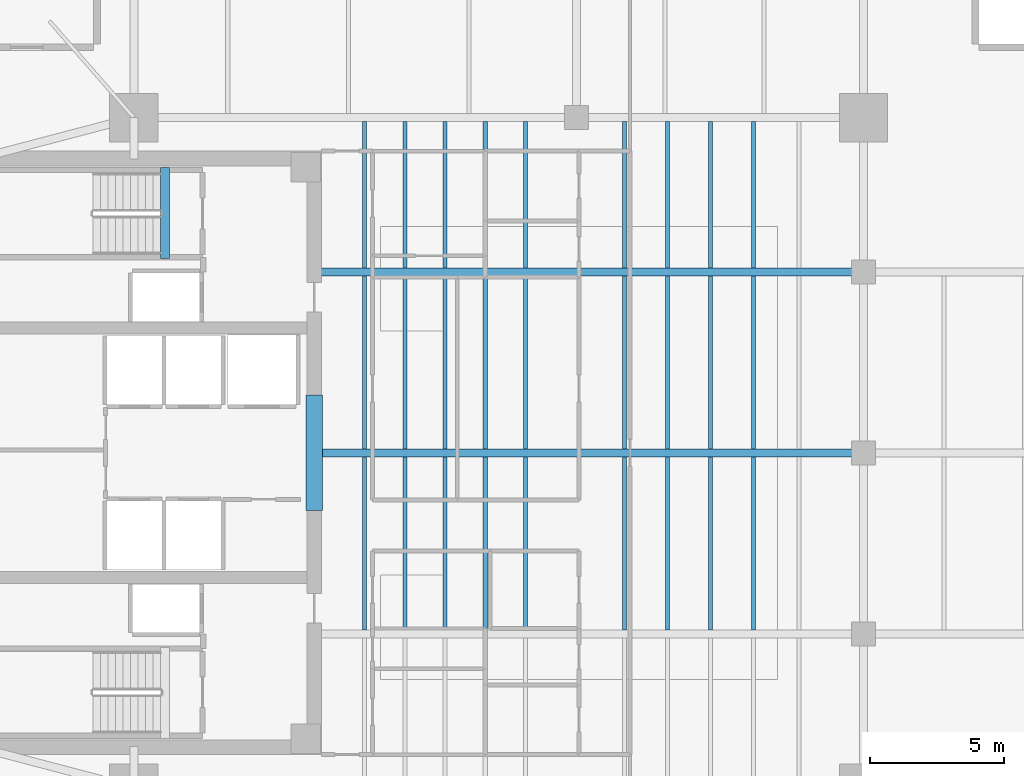
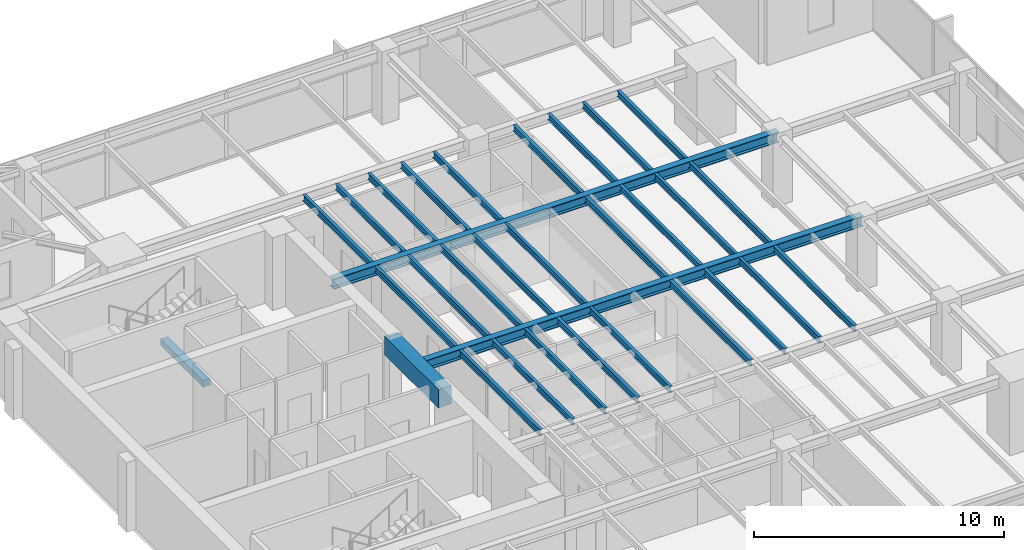
# One storey, part 3 of 14: 31 beams.
"""IFC4 building model written with IfcOpenShell, lengths in metres."""

from ifc_helpers import new_model, si_unit, direction, frame, origin, origin_2d, place, context, subcontext, project, spatial, rectangle, i_section, extrude, material, material_profile, profile_set, type_object, element, save


model = new_model("IFC4")

# Units and contexts
model_context = context("Model", 3, precision=1e-05, world=origin(), true_north=direction((0.0, 1.0)))
body_context = subcontext(model_context, "Body", "Model", "MODEL_VIEW")
ifc_project = project(units=[si_unit("LENGTHUNIT", "METRE"), si_unit("AREAUNIT", "SQUARE_METRE"), si_unit("VOLUMEUNIT", "CUBIC_METRE"), si_unit("PLANEANGLEUNIT", "RADIAN"), si_unit("MASSUNIT", "GRAM", prefix="KILO")], contexts=[model_context])

# Site, building, storey
site_placement = place(None, origin())
site = spatial("IfcSite", under=ifc_project, at=site_placement, CompositionType="ELEMENT")
building_placement = place(site_placement, origin())
building = spatial("IfcBuilding", under=site, at=building_placement, Name="Kinhvarn Gate Tower", CompositionType="ELEMENT")
storey_placement = place(building_placement, frame((0.0, 0.0, 198.699951171875)))
storey = spatial("IfcBuildingStorey", under=building, at=storey_placement, Name="L52", CompositionType="ELEMENT", Elevation=198.699951171875)

# Beams
ifc_material_1 = material(Name="Concrete C60/75", Category="concrete")
ifc_material_profile_1 = material_profile(ifc_material_1, rectangle(XDim=0.60009765625, YDim=0.89990234375, at=origin_2d()), Name="RC 600x900")
ifc_profile_set_1 = profile_set([ifc_material_profile_1], Name="Concrete C60/75")
beam_type_1 = type_object("IfcBeamType", Name="BM-CB-900", PredefinedType="LINTEL", material=ifc_profile_set_1)
beam_1_placement = place(storey_placement, frame((17.72509765625, 23.10009765625, 2.920166015625), z_axis=(0.0, 1.0, 0.0), x_axis=(-1.0, 0.0, 0.0)))
element("IfcBeam", 1, at=beam_1_placement, inside=storey, type_object=beam_type_1, Name="Core East Portal Coupling Beam L52", PredefinedType="LINTEL", context=body_context, shape_type="SweptSolid", body=[
    extrude(rectangle(XDim=0.60009765625, YDim=0.89990234375, at=origin_2d()), origin(), (0.0, 0.0, 1.0), 4.2998046875),
])
ifc_material_2 = material(Name="Concrete C50/60", Category="concrete")
ifc_material_profile_2 = material_profile(ifc_material_2, rectangle(XDim=0.340087890625, YDim=0.320068359375, at=origin_2d()), Name="RC 340x320")
ifc_profile_set_2 = profile_set([ifc_material_profile_2], Name="Concrete C50/60")
beam_type_2 = type_object("IfcBeamType", Name="BM-LND-500", PredefinedType="BEAM", material=ifc_profile_set_2)
beam_2_placement = place(storey_placement, frame((12.1650390625, 32.5, -0.159912109375), z_axis=(0.0, 1.0, 0.0), x_axis=(-1.0, 0.0, 0.0)))
element("IfcBeam", 2, at=beam_2_placement, inside=storey, type_object=beam_type_2, Name="Stair ST2 Landing Nosing Beam (L52)", PredefinedType="BEAM", context=body_context, shape_type="SweptSolid", body=[
    extrude(rectangle(XDim=0.340087890625, YDim=0.320068359375, at=origin_2d()), origin(), (0.0, 0.0, 1.0), 3.39990234375),
])
ifc_material_3 = material(Name="Steel S355", Category="steel")
ifc_material_profile_3 = material_profile(ifc_material_3, i_section(OverallWidth=0.300048828125, OverallDepth=0.5, WebThickness=0.014404296875, FlangeThickness=0.028076171875, at=origin_2d()), Name="HEB 500")
ifc_profile_set_3 = profile_set([ifc_material_profile_3], Name="Steel S355")
beam_type_3 = type_object("IfcBeamType", Name="STL-HEB500", PredefinedType="BEAM", material=ifc_profile_set_3)
beam_3_placement = place(storey_placement, frame((18.02490234375, 25.25, 3.1201171875), z_axis=(1.0, 0.0, 0.0), x_axis=(0.0, 1.0, 0.0)))
element("IfcBeam", 3, at=beam_3_placement, inside=storey, type_object=beam_type_3, Name="Floor Beam PG-14 (L52 EW1-Y25)", PredefinedType="BEAM", context=body_context, shape_type="SweptSolid", body=[
    extrude(i_section(OverallWidth=0.300048828125, OverallDepth=0.5, WebThickness=0.014404296875, FlangeThickness=0.028076171875, at=origin_2d()), origin(), (0.0, 0.0, 1.0), 20.175048828125),
])
beam_4_placement = place(storey_placement, frame((17.64990234375, 32.0, 3.1201171875), z_axis=(1.0, 0.0, 0.0), x_axis=(0.0, 1.0, 0.0)))
element("IfcBeam", 4, at=beam_4_placement, inside=storey, type_object=beam_type_3, Name="Floor Beam PG-14 (L52 EW1-Y32)", PredefinedType="BEAM", context=body_context, shape_type="SweptSolid", body=[
    extrude(i_section(OverallWidth=0.300048828125, OverallDepth=0.5, WebThickness=0.014404296875, FlangeThickness=0.028076171875, at=origin_2d()), origin(), (0.0, 0.0, 1.0), 20.550048828125),
])
ifc_material_profile_4 = material_profile(ifc_material_3, i_section(OverallWidth=0.14990234375, OverallDepth=0.300048828125, WebThickness=0.007080078125, FlangeThickness=0.0107421875, at=origin_2d()), Name="IPE 300")
ifc_profile_set_4 = profile_set([ifc_material_profile_4], Name="Steel S355")
beam_type_4 = type_object("IfcBeamType", Name="STL-IPE300", PredefinedType="JOIST", material=ifc_profile_set_4)
for number, where, z_axis, x_axis, name in (
    (5, (19.60009765625, 18.64990234375, 3.219970703125), (0.0, 1.0, 0.0), (-1.0, 0.0, 0.0), "Floor Joist SB-02 (L52 JC-X196-1)"),
    (6, (19.60009765625, 25.39990234375, 3.219970703125), (0.0, 1.0, 0.0), (-1.0, 0.0, 0.0), "Floor Joist SB-02 (L52 JC-X196-2)"),
):
    element("IfcBeam", number, at=place(storey_placement, frame(where, z_axis=z_axis, x_axis=x_axis)), inside=storey, type_object=beam_type_4, Name=name, PredefinedType="JOIST", context=body_context, shape_type="SweptSolid", body=[
        extrude(i_section(OverallWidth=0.14990234375, OverallDepth=0.300048828125, WebThickness=0.007080078125, FlangeThickness=0.0107421875, at=origin_2d()), origin(), (0.0, 0.0, 1.0), 6.4501953125),
    ])
beam_5_placement = place(storey_placement, frame((19.60009765625, 32.14990234375, 3.219970703125), z_axis=(0.0, 1.0, 0.0), x_axis=(-1.0, 0.0, 0.0)))
element("IfcBeam", 7, at=beam_5_placement, inside=storey, type_object=beam_type_4, Name="Floor Joist SB-02 (L52 JC-X196-3)", PredefinedType="JOIST", context=body_context, shape_type="SweptSolid", body=[
    extrude(i_section(OverallWidth=0.14990234375, OverallDepth=0.300048828125, WebThickness=0.007080078125, FlangeThickness=0.0107421875, at=origin_2d()), origin(), (0.0, 0.0, 1.0), 5.4501953125),
])
for number, where, z_axis, x_axis, name in (
    (8, (21.10009765625, 18.64990234375, 3.219970703125), (0.0, 1.0, 0.0), (-1.0, 0.0, 0.0), "Floor Joist SB-02 (L52 JC-X211-1)"),
    (9, (21.10009765625, 25.39990234375, 3.219970703125), (0.0, 1.0, 0.0), (-1.0, 0.0, 0.0), "Floor Joist SB-02 (L52 JC-X211-2)"),
):
    element("IfcBeam", number, at=place(storey_placement, frame(where, z_axis=z_axis, x_axis=x_axis)), inside=storey, type_object=beam_type_4, Name=name, PredefinedType="JOIST", context=body_context, shape_type="SweptSolid", body=[
        extrude(i_section(OverallWidth=0.14990234375, OverallDepth=0.300048828125, WebThickness=0.007080078125, FlangeThickness=0.0107421875, at=origin_2d()), origin(), (0.0, 0.0, 1.0), 6.4501953125),
    ])
beam_6_placement = place(storey_placement, frame((21.10009765625, 32.14990234375, 3.219970703125), z_axis=(0.0, 1.0, 0.0), x_axis=(-1.0, 0.0, 0.0)))
element("IfcBeam", 10, at=beam_6_placement, inside=storey, type_object=beam_type_4, Name="Floor Joist SB-02 (L52 JC-X211-3)", PredefinedType="JOIST", context=body_context, shape_type="SweptSolid", body=[
    extrude(i_section(OverallWidth=0.14990234375, OverallDepth=0.300048828125, WebThickness=0.007080078125, FlangeThickness=0.0107421875, at=origin_2d()), origin(), (0.0, 0.0, 1.0), 5.4501953125),
])
for number, where, z_axis, x_axis, name in (
    (11, (22.60009765625, 18.64990234375, 3.219970703125), (0.0, 1.0, 0.0), (-1.0, 0.0, 0.0), "Floor Joist SB-02 (L52 JC-X226-1)"),
    (12, (22.60009765625, 25.39990234375, 3.219970703125), (0.0, 1.0, 0.0), (-1.0, 0.0, 0.0), "Floor Joist SB-02 (L52 JC-X226-2)"),
):
    element("IfcBeam", number, at=place(storey_placement, frame(where, z_axis=z_axis, x_axis=x_axis)), inside=storey, type_object=beam_type_4, Name=name, PredefinedType="JOIST", context=body_context, shape_type="SweptSolid", body=[
        extrude(i_section(OverallWidth=0.14990234375, OverallDepth=0.300048828125, WebThickness=0.007080078125, FlangeThickness=0.0107421875, at=origin_2d()), origin(), (0.0, 0.0, 1.0), 6.4501953125),
    ])
beam_7_placement = place(storey_placement, frame((22.60009765625, 32.14990234375, 3.219970703125), z_axis=(0.0, 1.0, 0.0), x_axis=(-1.0, 0.0, 0.0)))
element("IfcBeam", 13, at=beam_7_placement, inside=storey, type_object=beam_type_4, Name="Floor Joist SB-02 (L52 JC-X226-3)", PredefinedType="JOIST", context=body_context, shape_type="SweptSolid", body=[
    extrude(i_section(OverallWidth=0.14990234375, OverallDepth=0.300048828125, WebThickness=0.007080078125, FlangeThickness=0.0107421875, at=origin_2d()), origin(), (0.0, 0.0, 1.0), 5.4501953125),
])
for number, where, z_axis, x_axis, name in (
    (14, (24.10009765625, 18.64990234375, 3.219970703125), (0.0, 1.0, 0.0), (-1.0, 0.0, 0.0), "Floor Joist SB-02 (L52 JC-X241-1)"),
    (15, (24.10009765625, 25.39990234375, 3.219970703125), (0.0, 1.0, 0.0), (-1.0, 0.0, 0.0), "Floor Joist SB-02 (L52 JC-X241-2)"),
):
    element("IfcBeam", number, at=place(storey_placement, frame(where, z_axis=z_axis, x_axis=x_axis)), inside=storey, type_object=beam_type_4, Name=name, PredefinedType="JOIST", context=body_context, shape_type="SweptSolid", body=[
        extrude(i_section(OverallWidth=0.14990234375, OverallDepth=0.300048828125, WebThickness=0.007080078125, FlangeThickness=0.0107421875, at=origin_2d()), origin(), (0.0, 0.0, 1.0), 6.4501953125),
    ])
beam_8_placement = place(storey_placement, frame((24.10009765625, 32.14990234375, 3.219970703125), z_axis=(0.0, 1.0, 0.0), x_axis=(-1.0, 0.0, 0.0)))
element("IfcBeam", 16, at=beam_8_placement, inside=storey, type_object=beam_type_4, Name="Floor Joist SB-02 (L52 JC-X241-3)", PredefinedType="JOIST", context=body_context, shape_type="SweptSolid", body=[
    extrude(i_section(OverallWidth=0.14990234375, OverallDepth=0.300048828125, WebThickness=0.007080078125, FlangeThickness=0.0107421875, at=origin_2d()), origin(), (0.0, 0.0, 1.0), 5.4501953125),
])
for number, where, z_axis, x_axis, name in (
    (17, (25.60009765625, 18.64990234375, 3.219970703125), (0.0, 1.0, 0.0), (-1.0, 0.0, 0.0), "Floor Joist SB-02 (L52 JC-X256-1)"),
    (18, (25.60009765625, 25.39990234375, 3.219970703125), (0.0, 1.0, 0.0), (-1.0, 0.0, 0.0), "Floor Joist SB-02 (L52 JC-X256-2)"),
):
    element("IfcBeam", number, at=place(storey_placement, frame(where, z_axis=z_axis, x_axis=x_axis)), inside=storey, type_object=beam_type_4, Name=name, PredefinedType="JOIST", context=body_context, shape_type="SweptSolid", body=[
        extrude(i_section(OverallWidth=0.14990234375, OverallDepth=0.300048828125, WebThickness=0.007080078125, FlangeThickness=0.0107421875, at=origin_2d()), origin(), (0.0, 0.0, 1.0), 6.4501953125),
    ])
beam_9_placement = place(storey_placement, frame((25.60009765625, 32.14990234375, 3.219970703125), z_axis=(0.0, 1.0, 0.0), x_axis=(-1.0, 0.0, 0.0)))
element("IfcBeam", 19, at=beam_9_placement, inside=storey, type_object=beam_type_4, Name="Floor Joist SB-02 (L52 JC-X256-3)", PredefinedType="JOIST", context=body_context, shape_type="SweptSolid", body=[
    extrude(i_section(OverallWidth=0.14990234375, OverallDepth=0.300048828125, WebThickness=0.007080078125, FlangeThickness=0.0107421875, at=origin_2d()), origin(), (0.0, 0.0, 1.0), 5.4501953125),
])
for number, where, z_axis, x_axis, name in (
    (20, (29.300048828125, 18.64990234375, 3.219970703125), (0.0, 1.0, 0.0), (-1.0, 0.0, 0.0), "Floor Joist SB-02 (L52 JC-X293-1)"),
    (21, (29.300048828125, 25.39990234375, 3.219970703125), (0.0, 1.0, 0.0), (-1.0, 0.0, 0.0), "Floor Joist SB-02 (L52 JC-X293-2)"),
):
    element("IfcBeam", number, at=place(storey_placement, frame(where, z_axis=z_axis, x_axis=x_axis)), inside=storey, type_object=beam_type_4, Name=name, PredefinedType="JOIST", context=body_context, shape_type="SweptSolid", body=[
        extrude(i_section(OverallWidth=0.14990234375, OverallDepth=0.300048828125, WebThickness=0.007080078125, FlangeThickness=0.0107421875, at=origin_2d()), origin(), (0.0, 0.0, 1.0), 6.4501953125),
    ])
beam_10_placement = place(storey_placement, frame((29.300048828125, 32.14990234375, 3.219970703125), z_axis=(0.0, 1.0, 0.0), x_axis=(-1.0, 0.0, 0.0)))
element("IfcBeam", 22, at=beam_10_placement, inside=storey, type_object=beam_type_4, Name="Floor Joist SB-02 (L52 JC-X293-3)", PredefinedType="JOIST", context=body_context, shape_type="SweptSolid", body=[
    extrude(i_section(OverallWidth=0.14990234375, OverallDepth=0.300048828125, WebThickness=0.007080078125, FlangeThickness=0.0107421875, at=origin_2d()), origin(), (0.0, 0.0, 1.0), 5.4501953125),
])
for number, where, z_axis, x_axis, name in (
    (23, (30.89990234375, 18.64990234375, 3.219970703125), (0.0, 1.0, 0.0), (-1.0, 0.0, 0.0), "Floor Joist SB-02 (L52 JC-X309-1)"),
    (24, (30.89990234375, 25.39990234375, 3.219970703125), (0.0, 1.0, 0.0), (-1.0, 0.0, 0.0), "Floor Joist SB-02 (L52 JC-X309-2)"),
):
    element("IfcBeam", number, at=place(storey_placement, frame(where, z_axis=z_axis, x_axis=x_axis)), inside=storey, type_object=beam_type_4, Name=name, PredefinedType="JOIST", context=body_context, shape_type="SweptSolid", body=[
        extrude(i_section(OverallWidth=0.14990234375, OverallDepth=0.300048828125, WebThickness=0.007080078125, FlangeThickness=0.0107421875, at=origin_2d()), origin(), (0.0, 0.0, 1.0), 6.4501953125),
    ])
beam_11_placement = place(storey_placement, frame((30.89990234375, 32.14990234375, 3.219970703125), z_axis=(0.0, 1.0, 0.0), x_axis=(-1.0, 0.0, 0.0)))
element("IfcBeam", 25, at=beam_11_placement, inside=storey, type_object=beam_type_4, Name="Floor Joist SB-02 (L52 JC-X309-3)", PredefinedType="JOIST", context=body_context, shape_type="SweptSolid", body=[
    extrude(i_section(OverallWidth=0.14990234375, OverallDepth=0.300048828125, WebThickness=0.007080078125, FlangeThickness=0.0107421875, at=origin_2d()), origin(), (0.0, 0.0, 1.0), 5.4501953125),
])
for number, where, z_axis, x_axis, name in (
    (26, (32.5, 18.64990234375, 3.219970703125), (0.0, 1.0, 0.0), (-1.0, 0.0, 0.0), "Floor Joist SB-02 (L52 JC-X325-1)"),
    (27, (32.5, 25.39990234375, 3.219970703125), (0.0, 1.0, 0.0), (-1.0, 0.0, 0.0), "Floor Joist SB-02 (L52 JC-X325-2)"),
):
    element("IfcBeam", number, at=place(storey_placement, frame(where, z_axis=z_axis, x_axis=x_axis)), inside=storey, type_object=beam_type_4, Name=name, PredefinedType="JOIST", context=body_context, shape_type="SweptSolid", body=[
        extrude(i_section(OverallWidth=0.14990234375, OverallDepth=0.300048828125, WebThickness=0.007080078125, FlangeThickness=0.0107421875, at=origin_2d()), origin(), (0.0, 0.0, 1.0), 6.4501953125),
    ])
beam_12_placement = place(storey_placement, frame((32.5, 32.14990234375, 3.219970703125), z_axis=(0.0, 1.0, 0.0), x_axis=(-1.0, 0.0, 0.0)))
element("IfcBeam", 28, at=beam_12_placement, inside=storey, type_object=beam_type_4, Name="Floor Joist SB-02 (L52 JC-X325-3)", PredefinedType="JOIST", context=body_context, shape_type="SweptSolid", body=[
    extrude(i_section(OverallWidth=0.14990234375, OverallDepth=0.300048828125, WebThickness=0.007080078125, FlangeThickness=0.0107421875, at=origin_2d()), origin(), (0.0, 0.0, 1.0), 5.4501953125),
])
for number, where, z_axis, x_axis, name in (
    (29, (34.10009765625, 18.64990234375, 3.219970703125), (0.0, 1.0, 0.0), (-1.0, 0.0, 0.0), "Floor Joist SB-02 (L52 JC-X341-1)"),
    (30, (34.10009765625, 25.39990234375, 3.219970703125), (0.0, 1.0, 0.0), (-1.0, 0.0, 0.0), "Floor Joist SB-02 (L52 JC-X341-2)"),
):
    element("IfcBeam", number, at=place(storey_placement, frame(where, z_axis=z_axis, x_axis=x_axis)), inside=storey, type_object=beam_type_4, Name=name, PredefinedType="JOIST", context=body_context, shape_type="SweptSolid", body=[
        extrude(i_section(OverallWidth=0.14990234375, OverallDepth=0.300048828125, WebThickness=0.007080078125, FlangeThickness=0.0107421875, at=origin_2d()), origin(), (0.0, 0.0, 1.0), 6.4501953125),
    ])
beam_13_placement = place(storey_placement, frame((34.10009765625, 32.14990234375, 3.219970703125), z_axis=(0.0, 1.0, 0.0), x_axis=(-1.0, 0.0, 0.0)))
element("IfcBeam", 31, at=beam_13_placement, inside=storey, type_object=beam_type_4, Name="Floor Joist SB-02 (L52 JC-X341-3)", PredefinedType="JOIST", context=body_context, shape_type="SweptSolid", body=[
    extrude(i_section(OverallWidth=0.14990234375, OverallDepth=0.300048828125, WebThickness=0.007080078125, FlangeThickness=0.0107421875, at=origin_2d()), origin(), (0.0, 0.0, 1.0), 5.4501953125),
])

save(model, "model.ifc")
